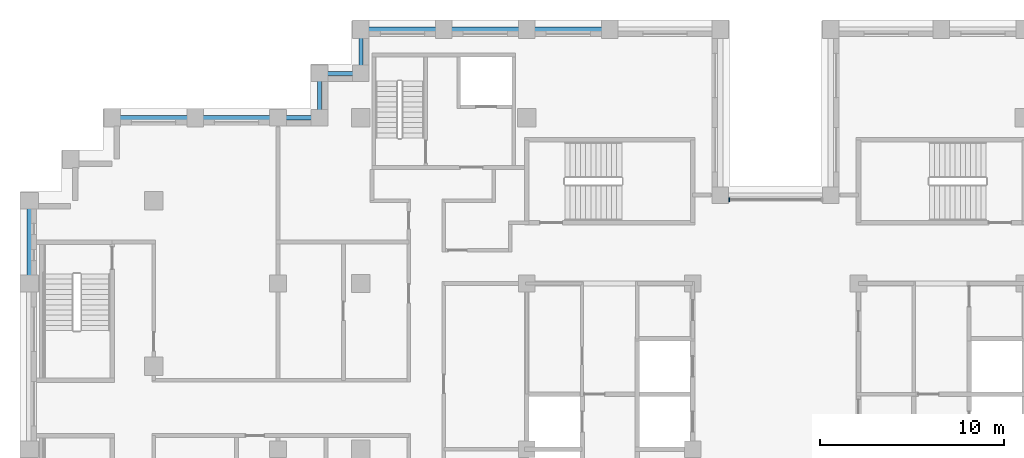
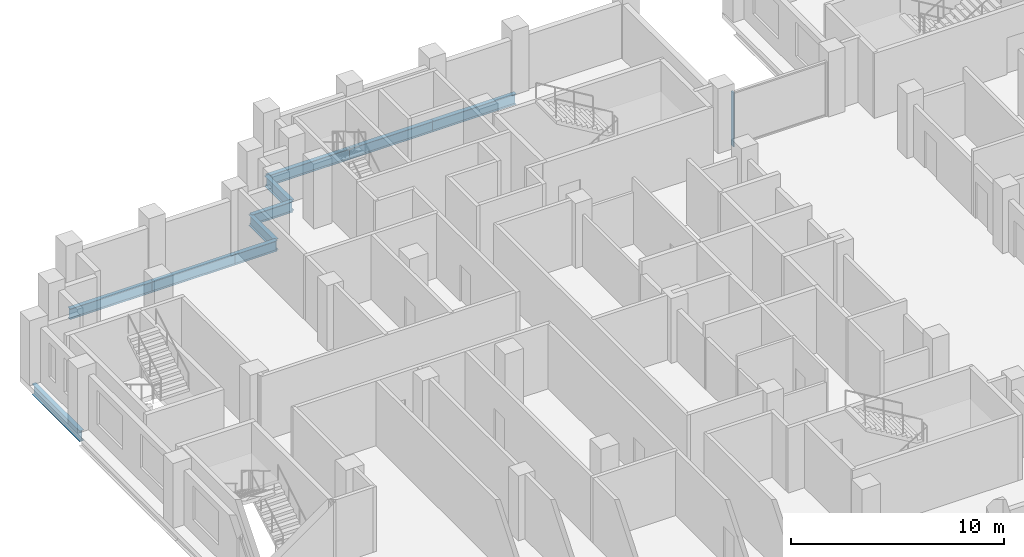
# One storey, part 3 of 15: 10 beams, 1 member, 1 element without a shape of its own.
"""IFC4 building model written with IfcOpenShell, lengths in metres."""

from ifc_helpers import new_model, si_unit, direction, frame, origin, origin_2d, place, context, subcontext, project, spatial, rectangle, i_section, extrude, material, layer, layer_set, material_profile, profile_set, type_object, element, aggregate, save


model = new_model("IFC4")

# Units and contexts
model_context = context("Model", 3, precision=1e-05, world=origin(), true_north=direction((0.0, 1.0)))
body_context = subcontext(model_context, "Body", "Model", "MODEL_VIEW")
ifc_project = project(units=[si_unit("LENGTHUNIT", "METRE"), si_unit("AREAUNIT", "SQUARE_METRE"), si_unit("VOLUMEUNIT", "CUBIC_METRE"), si_unit("PLANEANGLEUNIT", "RADIAN"), si_unit("MASSUNIT", "GRAM", prefix="KILO")], contexts=[model_context])

# Site, building, storey
site_placement = place(None, origin())
site = spatial("IfcSite", under=ifc_project, at=site_placement, CompositionType="ELEMENT")
building_placement = place(site_placement, origin())
building = spatial("IfcBuilding", under=site, at=building_placement, Name="Corbelhall Arena Tower", CompositionType="ELEMENT")
storey_placement = place(building_placement, frame((0.0, 0.0, 196.0)))
storey = spatial("IfcBuildingStorey", under=building, at=storey_placement, Name="L40", CompositionType="ELEMENT", Elevation=196.0)

# Curtain wall, member
ifc_material_1 = material(Name="Aluminium black anodised", Category="aluminium")
ifc_layer = layer(ifc_material_1, 0.199951171875)
ifc_layer_set = layer_set([ifc_layer], Name="EV-CW1 Slot back wall")
curtain_wall_type = type_object("IfcCurtainWallType", Name="EV-CW1 Slot back wall", PredefinedType="NOTDEFINED", material=ifc_layer_set)
curtain_wall_placement = place(storey_placement, origin())
curtain_wall = element("IfcCurtainWall", 1, at=curtain_wall_placement, inside=storey, type_object=curtain_wall_type, Name="Curtain wall CW1", PredefinedType="NOTDEFINED")
ifc_material_profile_1 = material_profile(ifc_material_1, rectangle(XDim=0.199951171875, YDim=0.074951171875, at=origin_2d()))
ifc_profile_set_1 = profile_set([ifc_material_profile_1], Name="Aluminium black anodised")
member_type = type_object("IfcMemberType", Name="EV-CW1-MULLION", PredefinedType="MULLION", material=ifc_profile_set_1)
member_placement = place(storey_placement, frame((-2.512451171875, 13.550048828125, 0.0), z_axis=(0.0, 0.0, 1.0), x_axis=(0.0, -1.0, 0.0)))
member = element("IfcMember", 2, at=member_placement, type_object=member_type, Name="CW1 mullion 2", PredefinedType="MULLION", context=body_context, shape_type="SweptSolid", body=[
    extrude(rectangle(XDim=0.199951171875, YDim=0.074951171875, at=origin_2d()), origin(), (0.0, 0.0, 1.0), 3.1201171875),
])
aggregate(curtain_wall, [member])

# Beams
ifc_material_2 = material(Name="Steel ASTM A992 Gr50", Category="steel")
ifc_material_profile_2 = material_profile(ifc_material_2, i_section(OverallWidth=0.228271484375, OverallDepth=0.607177734375, WebThickness=0.01123046875, FlangeThickness=0.017333984375, at=origin_2d()))
ifc_profile_set_2 = profile_set([ifc_material_profile_2], Name="Steel ASTM A992 Gr50")
beam_type = type_object("IfcBeamType", Name="ST-SPANDREL-W24x76", PredefinedType="SPANDREL", material=ifc_profile_set_2)
for number, where, z_axis, x_axis, name in (
    (3, (-40.5, 9.0, -0.58349609375), (0.0, 1.0, 0.0), (-1.0, 0.0, 0.0), "Beam SP 2"),
    (4, (-31.5, 18.0, -0.58349609375), (1.0, 0.0, 0.0), (0.0, 1.0, 0.0), "Beam SP 5"),
    (5, (-36.0, 18.0, -0.58349609375), (1.0, 0.0, 0.0), (0.0, 1.0, 0.0), "Beam SP 6"),
    (6, (-13.5, 22.800048828125, -0.58349609375), (1.0, 0.0, 0.0), (0.0, 1.0, 0.0), "Beam SP 20"),
    (7, (-18.0, 22.800048828125, -0.58349609375), (1.0, 0.0, 0.0), (0.0, 1.0, 0.0), "Beam SP 21"),
    (8, (-22.5, 22.800048828125, -0.58349609375), (1.0, 0.0, 0.0), (0.0, 1.0, 0.0), "Beam SP 22"),
):
    element("IfcBeam", number, at=place(storey_placement, frame(where, z_axis=z_axis, x_axis=x_axis)), inside=storey, type_object=beam_type, Name=name, PredefinedType="SPANDREL", context=body_context, shape_type="SweptSolid", body=[
        extrude(i_section(OverallWidth=0.228271484375, OverallDepth=0.607177734375, WebThickness=0.01123046875, FlangeThickness=0.017333984375, at=origin_2d()), origin(), (0.0, 0.0, 1.0), 4.5),
    ])
beam_1_placement = place(storey_placement, frame((-27.0, 18.0, -0.58349609375), z_axis=(1.0, 0.0, 0.0), x_axis=(0.0, 1.0, 0.0)))
element("IfcBeam", 9, at=beam_1_placement, inside=storey, type_object=beam_type, Name="Beam SP 33", PredefinedType="SPANDREL", context=body_context, shape_type="SweptSolid", body=[
    extrude(i_section(OverallWidth=0.228271484375, OverallDepth=0.607177734375, WebThickness=0.01123046875, FlangeThickness=0.017333984375, at=origin_2d()), origin(), (0.0, 0.0, 1.0), 2.25),
])
beam_2_placement = place(storey_placement, frame((-22.5, 20.39990234375, -0.58349609375), z_axis=(0.0, 1.0, 0.0), x_axis=(-1.0, 0.0, 0.0)))
element("IfcBeam", 10, at=beam_2_placement, inside=storey, type_object=beam_type, Name="Beam SP 42", PredefinedType="SPANDREL", context=body_context, shape_type="SweptSolid", body=[
    extrude(i_section(OverallWidth=0.228271484375, OverallDepth=0.607177734375, WebThickness=0.01123046875, FlangeThickness=0.017333984375, at=origin_2d()), origin(), (0.0, 0.0, 1.0), 2.400146484375),
])
beam_3_placement = place(storey_placement, frame((-24.75, 20.39990234375, -0.58349609375), z_axis=(1.0, 0.0, 0.0), x_axis=(0.0, 1.0, 0.0)))
element("IfcBeam", 11, at=beam_3_placement, inside=storey, type_object=beam_type, Name="Beam SP 43", PredefinedType="SPANDREL", context=body_context, shape_type="SweptSolid", body=[
    extrude(i_section(OverallWidth=0.228271484375, OverallDepth=0.607177734375, WebThickness=0.01123046875, FlangeThickness=0.017333984375, at=origin_2d()), origin(), (0.0, 0.0, 1.0), 2.25),
])
beam_4_placement = place(storey_placement, frame((-24.75, 18.0, -0.58349609375), z_axis=(0.0, 1.0, 0.0), x_axis=(-1.0, 0.0, 0.0)))
element("IfcBeam", 12, at=beam_4_placement, inside=storey, type_object=beam_type, Name="Beam SP 44", PredefinedType="SPANDREL", context=body_context, shape_type="SweptSolid", body=[
    extrude(i_section(OverallWidth=0.228271484375, OverallDepth=0.607177734375, WebThickness=0.01123046875, FlangeThickness=0.017333984375, at=origin_2d()), origin(), (0.0, 0.0, 1.0), 2.39990234375),
])

save(model, "model.ifc")
